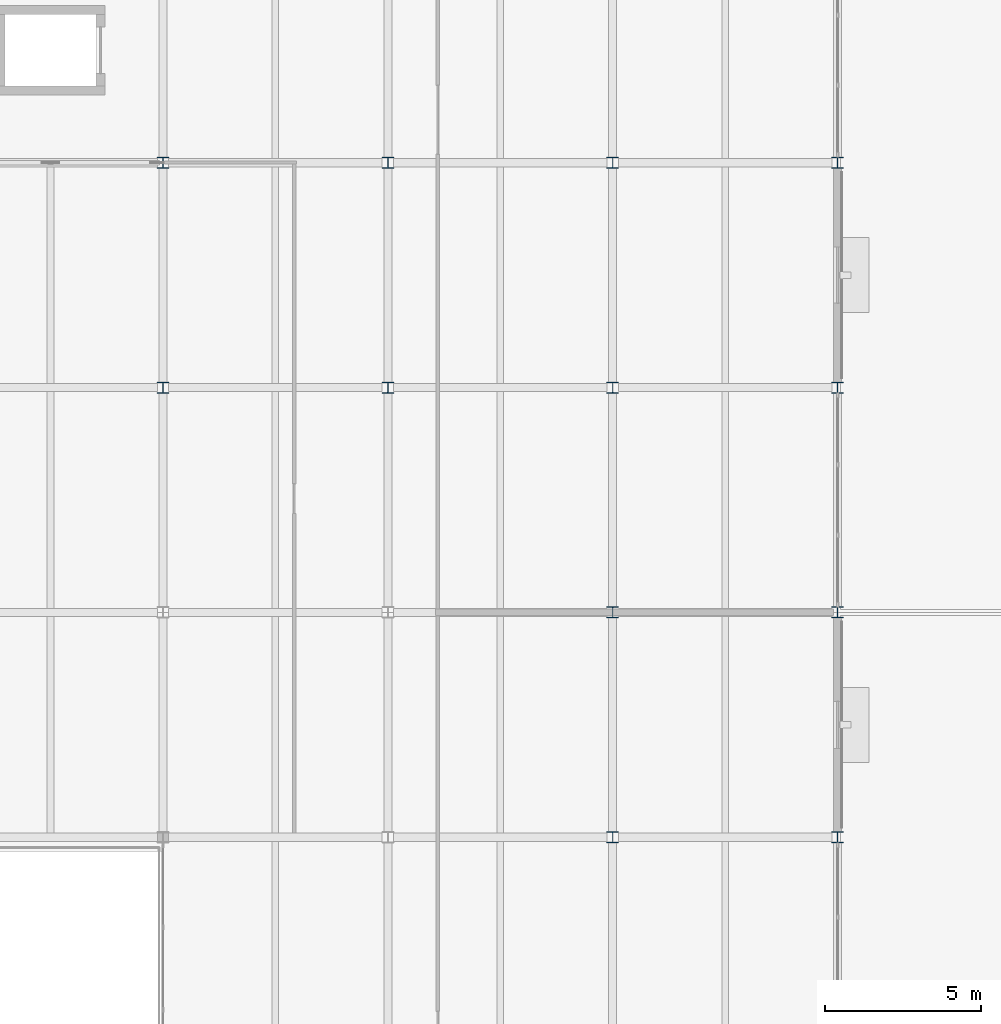
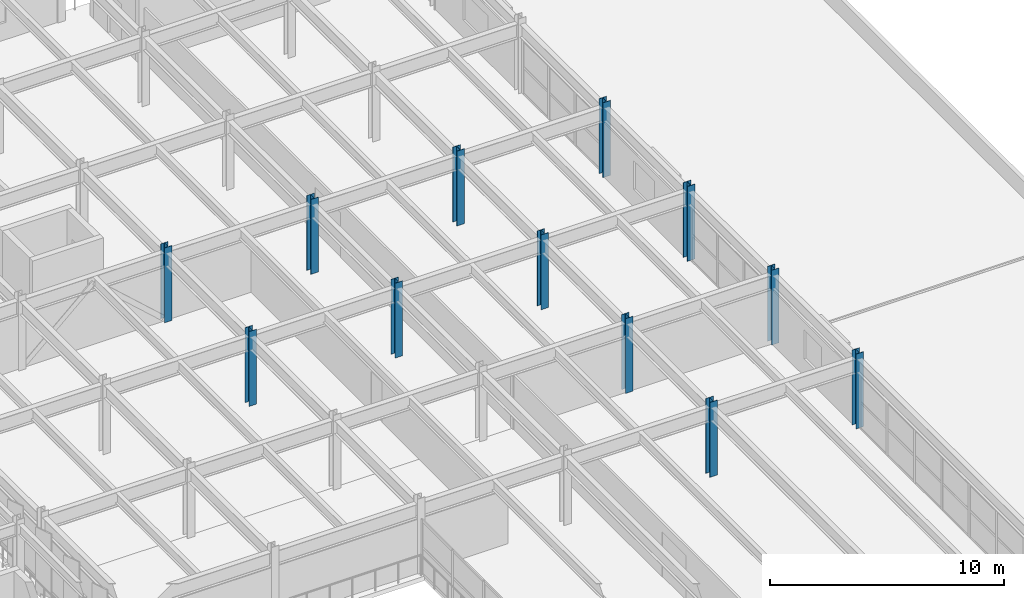
# One storey, part 13 of 80: 12 columns.
"""IFC4 building model written with IfcOpenShell, lengths in metres."""

import ifcopenshell
import ifcopenshell.guid

model = None  # the IFC model being written
_history = None  # IfcOwnerHistory: only IFC2X3 demands one
_inside = {}  # id of a spatial element -> (the spatial element, [elements in it])
_under = {}  # id of a project, library or spatial element -> (it, [spatial elements below it])
_declared = {}  # id of a project -> (the project, [libraries it declares])
_typed = {}  # id of a type object -> (the type object, [elements of that type])
_made_of = {}  # id of a material, layer set ... -> (it, [elements and type objects made of it])


def new_model(schema):
    """Start an empty IFC model of exactly this schema.

    Asked for "IFC4X3", IfcOpenShell would pick the latest addendum, in which some entities
    have other attributes; the version numbers below select the first issue.
    IFC2X3 requires an IfcOwnerHistory on every rooted entity: one is made here for all.
    """
    global model, _history
    if schema == "IFC4X3":
        model = ifcopenshell.file(schema_version=(4, 3, 0, 0))
    else:
        model = ifcopenshell.file(schema=schema)
    _inside.clear()
    _under.clear()
    _declared.clear()
    _typed.clear()
    _made_of.clear()
    _history = None
    if model.schema == "IFC2X3":
        org = make("IfcOrganization", Name="unknown")
        user = make(
            "IfcPersonAndOrganization",
            ThePerson=make("IfcPerson", FamilyName="unknown"),
            TheOrganization=org,
        )
        app = make(
            "IfcApplication",
            ApplicationDeveloper=org,
            Version="unknown",
            ApplicationFullName="unknown",
            ApplicationIdentifier="unknown",
        )
        _history = make(
            "IfcOwnerHistory",
            OwningUser=user,
            OwningApplication=app,
            ChangeAction="ADDED",
            CreationDate=0,
        )
    return model


def make(cls, **values):
    """One entity of the class cls with the attributes given. An attribute that is None is left unset."""
    return model.create_entity(
        cls, **{name: value for name, value in values.items() if value is not None}
    )


def rooted(cls, **values):
    """An entity with a GlobalId (a new one), such as an element, a storey or a relation."""
    return make(cls, GlobalId=ifcopenshell.guid.new(), OwnerHistory=_history, **values)


def si_unit(unit_type, name, prefix=None):
    """IfcSIUnit, for example si_unit("LENGTHUNIT", "METRE", prefix="MILLI")."""
    return make("IfcSIUnit", UnitType=unit_type, Prefix=prefix, Name=name)


def assignment(units):
    """IfcUnitAssignment: the units of a project."""
    return None if units is None else make("IfcUnitAssignment", Units=units)


def point(xyz):
    """IfcCartesianPoint."""
    return None if xyz is None else make("IfcCartesianPoint", Coordinates=xyz)


def direction(xyz):
    """IfcDirection."""
    return None if xyz is None else make("IfcDirection", DirectionRatios=xyz)


def frame(location, z_axis=None, x_axis=None):
    """IfcAxis2Placement3D, a coordinate frame: its origin and axes. An axis left out is left unset."""
    return make(
        "IfcAxis2Placement3D",
        Location=point(location),
        Axis=direction(z_axis),
        RefDirection=direction(x_axis),
    )


def frame_2d(location, x_axis=None):
    """IfcAxis2Placement2D, a coordinate frame in the plane: its origin and x axis."""
    return make(
        "IfcAxis2Placement2D", Location=point(location), RefDirection=direction(x_axis)
    )


def origin():
    """The frame at (0, 0, 0) with its axes left unset."""
    return frame((0.0, 0.0, 0.0))


def origin_2d():
    """The frame at (0, 0) in the plane with its x axis left unset."""
    return frame_2d((0.0, 0.0))


def place(relative_to, where):
    """IfcLocalPlacement: puts the frame where relative to a parent placement (None: the world)."""
    return make(
        "IfcLocalPlacement", PlacementRelTo=relative_to, RelativePlacement=where
    )


def context(
    kind, dimensions, precision=None, world=None, true_north=None, identifier=None
):
    """IfcGeometricRepresentationContext, for example the 3D "Model" context."""
    return make(
        "IfcGeometricRepresentationContext",
        ContextIdentifier=identifier,
        ContextType=kind,
        CoordinateSpaceDimension=dimensions,
        Precision=precision,
        WorldCoordinateSystem=world,
        TrueNorth=true_north,
    )


def subcontext(parent, identifier, kind, view, scale=None):
    """IfcGeometricRepresentationSubContext, for example "Body" below "Model"."""
    return make(
        "IfcGeometricRepresentationSubContext",
        ContextIdentifier=identifier,
        ContextType=kind,
        ParentContext=parent,
        TargetScale=scale,
        TargetView=view,
    )


def project(units=None, contexts=None):
    """IfcProject with its units and contexts."""
    return rooted(
        "IfcProject",
        Name="project",
        RepresentationContexts=contexts,
        UnitsInContext=assignment(units),
    )


def spatial(cls, under=None, at=None, **own):
    """A site, building, storey or space (cls), placed at a placement, below another one or the project."""
    s = rooted(cls, ObjectPlacement=at, **own)
    if under is not None:
        _under.setdefault(under.id(), (under, []))[1].append(s)
    return s


def profile(cls, at=None, kind="AREA", **sizes):
    """A parametric profile (cls). Its sizes go by their IFC names, for example OverallWidth=200.0."""
    return make(cls, ProfileType=kind, Position=at, **sizes)


def i_section(**sizes):
    """IfcIShapeProfileDef."""
    return profile("IfcIShapeProfileDef", **sizes)


def extrude(swept, where, along, depth):
    """IfcExtrudedAreaSolid: the profile swept, set in the frame where, extruded along a direction by depth."""
    return make(
        "IfcExtrudedAreaSolid",
        SweptArea=swept,
        Position=where,
        ExtrudedDirection=direction(along),
        Depth=depth,
    )


def shape(context_of_items, identifier, shape_type, items):
    """IfcShapeRepresentation: the items that make up one representation, for example the "Body"."""
    return make(
        "IfcShapeRepresentation",
        ContextOfItems=context_of_items,
        RepresentationIdentifier=identifier,
        RepresentationType=shape_type,
        Items=items,
    )


def material(Name=None, Category=None):
    """IfcMaterial."""
    return make("IfcMaterial", Name=Name, Category=Category)


def material_profile(
    of_material, cross_section, Name=None, Category=None, Priority=None
):
    """IfcMaterialProfile: a cross section and its material."""
    return make(
        "IfcMaterialProfile",
        Name=Name,
        Material=of_material,
        Profile=cross_section,
        Priority=Priority,
        Category=Category,
    )


def profile_set(profiles, Name=None, composite=None):
    """IfcMaterialProfileSet."""
    return make(
        "IfcMaterialProfileSet",
        Name=Name,
        MaterialProfiles=profiles,
        CompositeProfile=composite,
    )


def made_of(thing, what):
    """Note that an element or type object is made of a material, layer set ...; save() writes the relation."""
    if what is not None:
        _made_of.setdefault(what.id(), (what, []))[1].append(thing)
    return thing


def type_object(cls, material=None, **own):
    """A type object (cls), such as IfcWallType, which elements share."""
    return made_of(rooted(cls, **own), material)


def element(
    cls,
    number,
    at=None,
    inside=None,
    cuts=None,
    type_object=None,
    material=None,
    context=None,
    identifier="Body",
    shape_type=None,
    held_by="IfcProductDefinitionShape",
    body=None,
    shapes=None,
    **own,
):
    """One element of the class cls, such as IfcWall. Its Tag is "e" and its number.

    at: its placement. inside: the storey or other place that contains it. cuts: it is an
    opening in that element (IfcRelVoidsElement). A single representation is given by context,
    identifier, shape_type and body (its items); several are given by shapes. held_by: the class
    of the entity that holds the representations. save() writes the other relations.
    """
    e = rooted(cls, Tag="e%d" % number, ObjectPlacement=at, **own)
    if body is not None:
        shapes = [shape(context, identifier, shape_type, body)]
    if shapes is not None:
        e.Representation = make(held_by, Representations=shapes)
    if inside is not None:
        _inside.setdefault(inside.id(), (inside, []))[1].append(e)
    if cuts is not None:
        rooted(
            "IfcRelVoidsElement", RelatingBuildingElement=cuts, RelatedOpeningElement=e
        )
    if type_object is not None:
        _typed.setdefault(type_object.id(), (type_object, []))[1].append(e)
    return made_of(e, material)


def aggregate(whole, parts):
    """IfcRelAggregates: a whole, such as a stair, and the parts it consists of."""
    return rooted("IfcRelAggregates", RelatingObject=whole, RelatedObjects=parts)


def save(model, path):
    """Write the relations noted so far, then the file.

    IfcRelAggregates (storeys below a building ...), IfcRelContainedInSpatialStructure (elements
    in a storey), IfcRelDefinesByType, IfcRelAssociatesMaterial and IfcRelDeclares: one each for
    every whole, place, type object, material and project.
    """
    for whole, parts in _under.values():
        aggregate(whole, parts)
    for where, things in _inside.values():
        rooted(
            "IfcRelContainedInSpatialStructure",
            RelatedElements=things,
            RelatingStructure=where,
        )
    for kind, things in _typed.values():
        rooted("IfcRelDefinesByType", RelatedObjects=things, RelatingType=kind)
    for what, things in _made_of.values():
        rooted("IfcRelAssociatesMaterial", RelatedObjects=things, RelatingMaterial=what)
    for by, libraries in _declared.values():
        rooted("IfcRelDeclares", RelatingContext=by, RelatedDefinitions=libraries)
    model.write(path)


model = new_model("IFC4")

# Units and contexts
model_context = context("Model", 3, precision=1e-05, world=origin(), true_north=direction((0.0, 1.0)))
body_context = subcontext(model_context, "Body", "Model", "MODEL_VIEW")
ifc_project = project(units=[si_unit("LENGTHUNIT", "METRE"), si_unit("AREAUNIT", "SQUARE_METRE"), si_unit("VOLUMEUNIT", "CUBIC_METRE"), si_unit("PLANEANGLEUNIT", "RADIAN"), si_unit("MASSUNIT", "GRAM", prefix="KILO")], contexts=[model_context])

# Site, building, storey
site_placement = place(None, origin())
site = spatial("IfcSite", under=ifc_project, at=site_placement, CompositionType="ELEMENT")
building_placement = place(site_placement, origin())
building = spatial("IfcBuilding", under=site, at=building_placement, Name="Vaelcorin Mobility Hub", CompositionType="ELEMENT")
storey_placement = place(building_placement, frame((0.0, 0.0, 9.300048828125)))
storey = spatial("IfcBuildingStorey", under=building, at=storey_placement, Name="L02", CompositionType="ELEMENT", Elevation=9.300048828125)

# Columns
ifc_material = material(Name="Steel ASTM A992 Grade 50", Category="steel")
ifc_material_profile = material_profile(ifc_material, i_section(OverallWidth=0.367919921875, OverallDepth=0.35595703125, WebThickness=0.01123046875, FlangeThickness=0.01806640625, FilletRadius=0.014892578125, at=origin_2d()), Name="W14X90")
ifc_profile_set = profile_set([ifc_material_profile], Name="Steel ASTM A992 Grade 50")
column_type = type_object("IfcColumnType", Name="COL-W14X90", PredefinedType="COLUMN", material=ifc_profile_set)
for number, where, z_axis, x_axis, name in (
    (1, (168.0, 91.199951171875, 0.0), (0.0, 0.0, 1.0), (1.0, 0.0, 0.0), "Column V5-X03Y11 L02"),
    (2, (168.0, 98.39990234375, 0.0), (0.0, 0.0, 1.0), (1.0, 0.0, 0.0), "Column V5-X03Y12 L02"),
    (3, (175.199951171875, 91.199951171875, 0.0), (0.0, 0.0, 1.0), (1.0, 0.0, 0.0), "Column V5-X04Y11 L02"),
    (4, (175.199951171875, 98.39990234375, 0.0), (0.0, 0.0, 1.0), (1.0, 0.0, 0.0), "Column V5-X04Y12 L02"),
    (5, (182.39990234375, 76.800048828125, 0.0), (0.0, 0.0, 1.0), (1.0, 0.0, 0.0), "Column V5-X05Y09 L02"),
    (6, (182.39990234375, 84.0, 0.0), (0.0, 0.0, 1.0), (1.0, 0.0, 0.0), "Column V5-X05Y10 L02"),
    (7, (182.39990234375, 91.199951171875, 0.0), (0.0, 0.0, 1.0), (1.0, 0.0, 0.0), "Column V5-X05Y11 L02"),
    (8, (182.39990234375, 98.39990234375, 0.0), (0.0, 0.0, 1.0), (1.0, 0.0, 0.0), "Column V5-X05Y12 L02"),
    (9, (189.60009765625, 76.800048828125, 0.0), (0.0, 0.0, 1.0), (1.0, 0.0, 0.0), "Column V5-X06Y09 L02"),
    (10, (189.60009765625, 84.0, 0.0), (0.0, 0.0, 1.0), (1.0, 0.0, 0.0), "Column V5-X06Y10 L02"),
    (11, (189.60009765625, 91.199951171875, 0.0), (0.0, 0.0, 1.0), (1.0, 0.0, 0.0), "Column V5-X06Y11 L02"),
    (12, (189.60009765625, 98.39990234375, 0.0), (0.0, 0.0, 1.0), (1.0, 0.0, 0.0), "Column V5-X06Y12 L02"),
):
    element("IfcColumn", number, at=place(storey_placement, frame(where, z_axis=z_axis, x_axis=x_axis)), inside=storey, type_object=column_type, Name=name, PredefinedType="COLUMN", context=body_context, shape_type="SweptSolid", body=[
        extrude(i_section(OverallWidth=0.367919921875, OverallDepth=0.35595703125, WebThickness=0.01123046875, FlangeThickness=0.01806640625, FilletRadius=0.014892578125, at=origin_2d()), origin(), (0.0, 0.0, 1.0), 3.89990234375),
    ])

save(model, "model.ifc")
